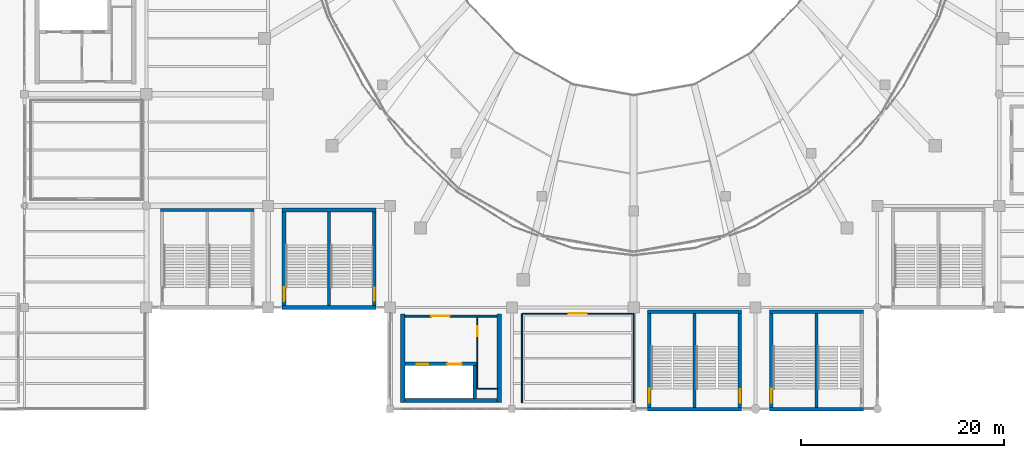
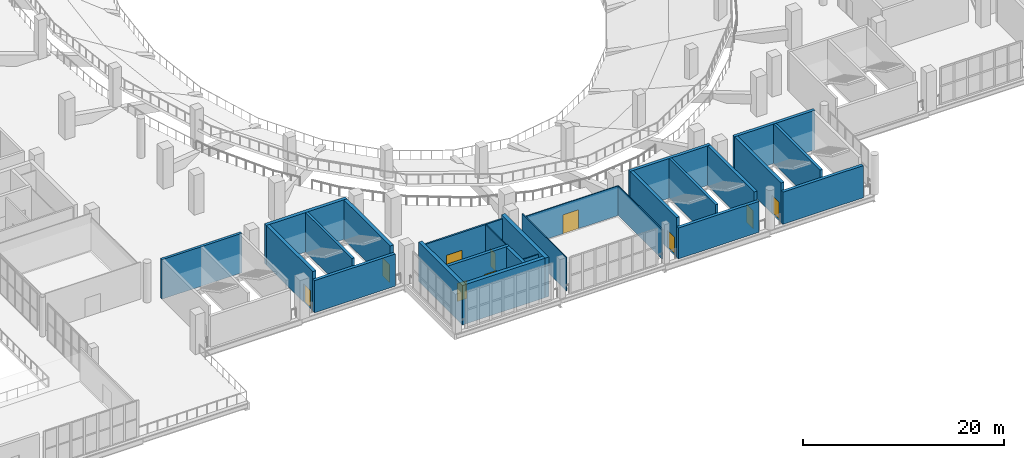
# One storey, part 109 of 136: 26 walls, 10 doors, 10 openings.
"""IFC4 building model written with IfcOpenShell, lengths in metres."""

from ifc_helpers import new_model, si_unit, direction, frame, frame_2d, origin, place, context, subcontext, project, spatial, rectangle, extrude, material, layer, layer_set, type_object, element, fill, save


model = new_model("IFC4")

# Units and contexts
model_context = context("Model", 3, precision=1e-05, world=origin(), true_north=direction((0.0, 1.0)))
body_context = subcontext(model_context, "Body", "Model", "MODEL_VIEW")
ifc_project = project(units=[si_unit("LENGTHUNIT", "METRE"), si_unit("AREAUNIT", "SQUARE_METRE"), si_unit("VOLUMEUNIT", "CUBIC_METRE"), si_unit("PLANEANGLEUNIT", "RADIAN"), si_unit("MASSUNIT", "GRAM", prefix="KILO")], contexts=[model_context])

# Site, building, storey
site_placement = place(None, origin())
site = spatial("IfcSite", under=ifc_project, at=site_placement, CompositionType="ELEMENT")
building_placement = place(site_placement, origin())
building = spatial("IfcBuilding", under=site, at=building_placement, Name="Brinegate Civic Arena", CompositionType="ELEMENT")
storey_placement = place(building_placement, frame((0.0, 0.0, 5.39990234375)))
storey = spatial("IfcBuildingStorey", under=building, at=storey_placement, Name="L01", CompositionType="ELEMENT", Elevation=5.39990234375)

# Wall
ifc_material_1 = material(Name="Concrete C50/60", Category="concrete")
ifc_layer_1 = layer(ifc_material_1, 0.35009765625, Name="Concrete C50/60")
ifc_layer_set_1 = layer_set([ifc_layer_1], Name="Concrete C50/60")
wall_type_1 = type_object("IfcWallType", Name="WALL-CORE-SHEAR-350", PredefinedType="SHEAR", material=ifc_layer_set_1)
wall_1_placement = place(storey_placement, frame((121.375, 9.60009765625, 0.0), z_axis=(0.0, 0.0, 1.0), x_axis=(1.0, 0.0, 0.0)))
element("IfcWall", 1, at=wall_1_placement, inside=storey, type_object=wall_type_1, Name="Stair ST-04 North Shear Wall L01 (WBB-98)", PredefinedType="SHEAR", context=body_context, shape_type="SweptSolid", body=[
    extrude(rectangle(XDim=9.25, YDim=0.35009765625, at=frame_2d((4.625, 0.0))), origin(), (0.0, 0.0, 1.0), 4.800048828125),
])

# Wall, opening, door
wall_2_placement = place(storey_placement, frame((121.550048828125, 0.175048828125, 0.0), z_axis=(0.0, 0.0, 1.0), x_axis=(0.0, 1.0, 0.0)))
wall_2 = element("IfcWall", 2, at=wall_2_placement, inside=storey, type_object=wall_type_1, Name="Stair ST-04 West Shear Wall L01 (WBB-99)", PredefinedType="SHEAR", context=body_context, shape_type="SweptSolid", body=[
    extrude(rectangle(XDim=9.25, YDim=0.35009765625, at=frame_2d((4.625, 0.0))), origin(), (0.0, 0.0, 1.0), 4.800048828125),
])
opening_1_placement = place(wall_2_placement, frame((0.425048828125, 0.0, 0.0)))
opening_1 = element("IfcOpeningElement", 3, at=opening_1_placement, cuts=wall_2, Name="Opening D-ST04A-L01", PredefinedType="OPENING", context=body_context, shape_type="SweptSolid", body=[
    extrude(rectangle(XDim=1.39990234375, YDim=2.199951171875, at=frame_2d((0.699951171875, 1.10009765625))), frame((0.0, 0.18505859375, 0.0), z_axis=(0.0, -1.0, 0.0), x_axis=(1.0, 0.0, 0.0)), (0.0, 0.0, 1.0), 0.3701171875),
])
ifc_material_2 = material(Name="Galvanized hurricane steel", Category="steel")
door_type_1 = type_object("IfcDoorType", Name="DOOR-STAIR-2400X2200", OperationType="NOTDEFINED", PredefinedType="DOOR", material=ifc_material_2)
door_1_placement = place(opening_1_placement, frame((1.39990234375, 0.0, 0.0), z_axis=(0.0, 0.0, 1.0), x_axis=(-1.0, 0.0, 0.0)))
door_1 = element("IfcDoor", 4, at=door_1_placement, inside=storey, type_object=door_type_1, Name="Protected Exit Stair Door D-ST04A-L01", OperationType="DOUBLE_DOOR_SINGLE_SWING", OverallHeight=2.199951171875, OverallWidth=1.39990234375, PredefinedType="DOOR", context=body_context, shape_type="SweptSolid", body=[
    extrude(rectangle(XDim=1.39990234375, YDim=2.199951171875, at=frame_2d((0.699951171875, 1.10009765625))), frame((0.0, 0.02490234375, 0.0), z_axis=(0.0, -1.0, 0.0), x_axis=(1.0, 0.0, 0.0)), (0.0, 0.0, 1.0), 0.050048828125),
])
fill(opening_1, door_1)

# Wall
wall_3_placement = place(storey_placement, frame((109.375, 9.60009765625, 0.0), z_axis=(0.0, 0.0, 1.0), x_axis=(1.0, 0.0, 0.0)))
element("IfcWall", 5, at=wall_3_placement, inside=storey, type_object=wall_type_1, Name="Stair ST-16 North Shear Wall L01 (WBF-17)", PredefinedType="SHEAR", context=body_context, shape_type="SweptSolid", body=[
    extrude(rectangle(XDim=9.25, YDim=0.35009765625, at=frame_2d((4.625, 0.0))), origin(), (0.0, 0.0, 1.0), 4.800048828125),
])

# Wall, opening, door
wall_4_placement = place(storey_placement, frame((109.550048828125, 0.175048828125, 0.0), z_axis=(0.0, 0.0, 1.0), x_axis=(0.0, 1.0, 0.0)))
wall_4 = element("IfcWall", 6, at=wall_4_placement, inside=storey, type_object=wall_type_1, Name="Stair ST-16 West Shear Wall L01 (WBF-18)", PredefinedType="SHEAR", context=body_context, shape_type="SweptSolid", body=[
    extrude(rectangle(XDim=9.25, YDim=0.35009765625, at=frame_2d((4.625, 0.0))), origin(), (0.0, 0.0, 1.0), 4.800048828125),
])
opening_2_placement = place(wall_4_placement, frame((0.425048828125, 0.0, 0.0)))
opening_2 = element("IfcOpeningElement", 7, at=opening_2_placement, cuts=wall_4, Name="Opening D-ST16A-L01", PredefinedType="OPENING", context=body_context, shape_type="SweptSolid", body=[
    extrude(rectangle(XDim=1.39990234375, YDim=2.199951171875, at=frame_2d((0.699951171875, 1.10009765625))), frame((0.0, 0.18505859375, 0.0), z_axis=(0.0, -1.0, 0.0), x_axis=(1.0, 0.0, 0.0)), (0.0, 0.0, 1.0), 0.3701171875),
])
door_2_placement = place(opening_2_placement, frame((1.39990234375, 0.0, 0.0), z_axis=(0.0, 0.0, 1.0), x_axis=(-1.0, 0.0, 0.0)))
door_2 = element("IfcDoor", 8, at=door_2_placement, inside=storey, type_object=door_type_1, Name="Protected Exit Stair Door D-ST16A-L01", OperationType="DOUBLE_DOOR_SINGLE_SWING", OverallHeight=2.199951171875, OverallWidth=1.39990234375, PredefinedType="DOOR", context=body_context, shape_type="SweptSolid", body=[
    extrude(rectangle(XDim=1.39990234375, YDim=2.199951171875, at=frame_2d((0.699951171875, 1.10009765625))), frame((0.0, 0.02490234375, 0.0), z_axis=(0.0, -1.0, 0.0), x_axis=(1.0, 0.0, 0.0)), (0.0, 0.0, 1.0), 0.050048828125),
])
fill(opening_2, door_2)

wall_5_placement = place(storey_placement, frame((118.449951171875, 0.175048828125, 0.0), z_axis=(0.0, 0.0, 1.0), x_axis=(0.0, 1.0, 0.0)))
wall_5 = element("IfcWall", 9, at=wall_5_placement, inside=storey, type_object=wall_type_1, Name="Stair ST-16 East Shear Wall L01 (WBF-19)", PredefinedType="SHEAR", context=body_context, shape_type="SweptSolid", body=[
    extrude(rectangle(XDim=9.25, YDim=0.35009765625, at=frame_2d((4.625, 0.0))), origin(), (0.0, 0.0, 1.0), 4.800048828125),
])
opening_3_placement = place(wall_5_placement, frame((0.465087890625, 0.0, 0.0)))
opening_3 = element("IfcOpeningElement", 10, at=opening_3_placement, cuts=wall_5, Name="Opening D-ST16B-L01", PredefinedType="OPENING", context=body_context, shape_type="SweptSolid", body=[
    extrude(rectangle(XDim=1.320068359375, YDim=2.199951171875, at=frame_2d((0.66015625, 1.10009765625))), frame((0.0, 0.18505859375, 0.0), z_axis=(0.0, -1.0, 0.0), x_axis=(1.0, 0.0, 0.0)), (0.0, 0.0, 1.0), 0.3701171875),
])
door_type_2 = type_object("IfcDoorType", Name="DOOR-STAIR-2200X2200", OperationType="NOTDEFINED", PredefinedType="DOOR", material=ifc_material_2)
door_3_placement = place(opening_3_placement, origin())
door_3 = element("IfcDoor", 11, at=door_3_placement, inside=storey, type_object=door_type_2, Name="Protected Exit Stair Door D-ST16B-L01", OperationType="DOUBLE_DOOR_SINGLE_SWING", OverallHeight=2.199951171875, OverallWidth=1.320068359375, PredefinedType="DOOR", context=body_context, shape_type="SweptSolid", body=[
    extrude(rectangle(XDim=1.320068359375, YDim=2.199951171875, at=frame_2d((0.66015625, 1.10009765625))), frame((0.0, 0.02490234375, 0.0), z_axis=(0.0, -1.0, 0.0), x_axis=(1.0, 0.0, 0.0)), (0.0, 0.0, 1.0), 0.050048828125),
])
fill(opening_3, door_3)

# Wall, openings, doors
wall_6_placement = place(storey_placement, frame((85.4599609375, 4.449951171875, 0.0), z_axis=(0.0, 0.0, 1.0), x_axis=(1.0, 0.0, 0.0)))
wall_6 = element("IfcWall", 12, at=wall_6_placement, inside=storey, type_object=wall_type_1, Name="Core K4 Lift Shaft Front Wall L01 (WBH-11)", PredefinedType="SHEAR", context=body_context, shape_type="SweptSolid", body=[
    extrude(rectangle(XDim=7.06494140625, YDim=0.35009765625, at=frame_2d((3.532470703125, 0.0))), origin(), (0.0, 0.0, 1.0), 4.800048828125),
])
opening_4_placement = place(wall_6_placement, frame((1.18994140625, 0.0, 0.0)))
opening_4 = element("IfcOpeningElement", 13, at=opening_4_placement, cuts=wall_6, Name="Opening LD-PL6-L01", PredefinedType="OPENING", context=body_context, shape_type="SweptSolid", body=[
    extrude(rectangle(XDim=1.10009765625, YDim=2.199951171875, at=frame_2d((0.550048828125, 1.10009765625))), frame((0.0, 0.18505859375, 0.0), z_axis=(0.0, -1.0, 0.0), x_axis=(1.0, 0.0, 0.0)), (0.0, 0.0, 1.0), 0.3701171875),
])
opening_5_placement = place(wall_6_placement, frame((4.18994140625, 0.0, 0.0)))
opening_5 = element("IfcOpeningElement", 14, at=opening_5_placement, cuts=wall_6, Name="Opening LD-GL1-L01", PredefinedType="OPENING", context=body_context, shape_type="SweptSolid", body=[
    extrude(rectangle(XDim=1.39990234375, YDim=2.300048828125, at=frame_2d((0.699951171875, 1.14990234375))), frame((0.0, 0.18505859375, 0.0), z_axis=(0.0, -1.0, 0.0), x_axis=(1.0, 0.0, 0.0)), (0.0, 0.0, 1.0), 0.3701171875),
])
ifc_material_3 = material(Name="Architectural stainless steel balustrade", Category="steel")
door_type_3 = type_object("IfcDoorType", Name="DOOR-LIFT-1100X2200", OperationType="SLIDING_TO_LEFT", PredefinedType="DOOR", material=ifc_material_3)
door_4_placement = place(opening_4_placement, origin())
door_4 = element("IfcDoor", 15, at=door_4_placement, inside=storey, type_object=door_type_3, Name="Sliding Lift Landing Door LD-PL6-L01", OperationType="SLIDING_TO_LEFT", OverallHeight=2.199951171875, OverallWidth=1.10009765625, PredefinedType="DOOR", context=body_context, shape_type="SweptSolid", body=[
    extrude(rectangle(XDim=1.10009765625, YDim=2.199951171875, at=frame_2d((0.550048828125, 1.10009765625))), frame((0.0, 0.02490234375, 0.0), z_axis=(0.0, -1.0, 0.0), x_axis=(1.0, 0.0, 0.0)), (0.0, 0.0, 1.0), 0.050048828125),
])
fill(opening_4, door_4)
door_type_4 = type_object("IfcDoorType", Name="DOOR-LIFT-1400X2300", OperationType="SLIDING_TO_LEFT", PredefinedType="DOOR", material=ifc_material_3)
door_5_placement = place(opening_5_placement, origin())
door_5 = element("IfcDoor", 16, at=door_5_placement, inside=storey, type_object=door_type_4, Name="Sliding Lift Landing Door LD-GL1-L01", OperationType="SLIDING_TO_LEFT", OverallHeight=2.300048828125, OverallWidth=1.39990234375, PredefinedType="DOOR", context=body_context, shape_type="SweptSolid", body=[
    extrude(rectangle(XDim=1.39990234375, YDim=2.300048828125, at=frame_2d((0.699951171875, 1.14990234375))), frame((0.0, 0.02490234375, 0.0), z_axis=(0.0, -1.0, 0.0), x_axis=(1.0, 0.0, 0.0)), (0.0, 0.0, 1.0), 0.050048828125),
])
fill(opening_5, door_5)

# Walls
wall_7_placement = place(storey_placement, frame((92.35009765625, 1.06005859375, 0.0), z_axis=(0.0, 0.0, 1.0), x_axis=(0.0, 1.0, 0.0)))
element("IfcWall", 17, at=wall_7_placement, inside=storey, type_object=wall_type_1, Name="Core K4 Lift Shaft End Wall L01 (WBH-12)", PredefinedType="SHEAR", context=body_context, shape_type="SweptSolid", body=[
    extrude(rectangle(XDim=3.21484375, YDim=0.35009765625, at=frame_2d((1.607421875, 0.0))), origin(), (0.0, 0.0, 1.0), 4.800048828125),
])
ifc_layer_2 = layer(ifc_material_1, 0.389892578125, Name="Concrete C50/60")
ifc_layer_set_2 = layer_set([ifc_layer_2], Name="Concrete C50/60")
wall_type_2 = type_object("IfcWallType", Name="WALL-CORE-SHEAR-390", PredefinedType="SHEAR", material=ifc_layer_set_2)
wall_8_placement = place(storey_placement, frame((73.35498046875, 19.60009765625, 0.0), z_axis=(0.0, 0.0, 1.0), x_axis=(1.0, 0.0, 0.0)))
element("IfcWall", 18, at=wall_8_placement, inside=storey, type_object=wall_type_2, Name="Stair ST-12 North Shear Wall L01 (WBE-11)", PredefinedType="SHEAR", context=body_context, shape_type="SweptSolid", body=[
    extrude(rectangle(XDim=9.2900390625, YDim=0.389892578125, at=frame_2d((4.64501953125, 0.0))), origin(), (0.0, 0.0, 1.0), 4.800048828125),
])

# Wall, opening, door
wall_9_placement = place(storey_placement, frame((73.550048828125, 10.175048828125, 0.0), z_axis=(0.0, 0.0, 1.0), x_axis=(0.0, 1.0, 0.0)))
wall_9 = element("IfcWall", 19, at=wall_9_placement, inside=storey, type_object=wall_type_2, Name="Stair ST-12 West Shear Wall L01 (WBE-12)", PredefinedType="SHEAR", context=body_context, shape_type="SweptSolid", body=[
    extrude(rectangle(XDim=9.22998046875, YDim=0.389892578125, at=frame_2d((4.614990234375, 0.0))), origin(), (0.0, 0.0, 1.0), 4.800048828125),
])
opening_6_placement = place(wall_9_placement, frame((0.425048828125, 0.0, 0.0)))
opening_6 = element("IfcOpeningElement", 20, at=opening_6_placement, cuts=wall_9, Name="Opening D-ST12A-L01", PredefinedType="OPENING", context=body_context, shape_type="SweptSolid", body=[
    extrude(rectangle(XDim=1.39990234375, YDim=2.199951171875, at=frame_2d((0.699951171875, 1.10009765625))), frame((0.0, 0.204833984375, 0.0), z_axis=(0.0, -1.0, 0.0), x_axis=(1.0, 0.0, 0.0)), (0.0, 0.0, 1.0), 0.409912109375),
])
door_6_placement = place(opening_6_placement, frame((1.39990234375, 0.0, 0.0), z_axis=(0.0, 0.0, 1.0), x_axis=(-1.0, 0.0, 0.0)))
door_6 = element("IfcDoor", 21, at=door_6_placement, inside=storey, type_object=door_type_1, Name="Protected Exit Stair Door D-ST12A-L01", OperationType="DOUBLE_DOOR_SINGLE_SWING", OverallHeight=2.199951171875, OverallWidth=1.39990234375, PredefinedType="DOOR", context=body_context, shape_type="SweptSolid", body=[
    extrude(rectangle(XDim=1.39990234375, YDim=2.199951171875, at=frame_2d((0.699951171875, 1.10009765625))), frame((0.0, 0.02490234375, 0.0), z_axis=(0.0, -1.0, 0.0), x_axis=(1.0, 0.0, 0.0)), (0.0, 0.0, 1.0), 0.050048828125),
])
fill(opening_6, door_6)

wall_10_placement = place(storey_placement, frame((82.449951171875, 10.175048828125, 0.0), z_axis=(0.0, 0.0, 1.0), x_axis=(0.0, 1.0, 0.0)))
wall_10 = element("IfcWall", 22, at=wall_10_placement, inside=storey, type_object=wall_type_2, Name="Stair ST-12 East Shear Wall L01 (WBE-13)", PredefinedType="SHEAR", context=body_context, shape_type="SweptSolid", body=[
    extrude(rectangle(XDim=9.22998046875, YDim=0.389892578125, at=frame_2d((4.614990234375, 0.0))), origin(), (0.0, 0.0, 1.0), 4.800048828125),
])
opening_7_placement = place(wall_10_placement, frame((0.465087890625, 0.0, 0.0)))
opening_7 = element("IfcOpeningElement", 23, at=opening_7_placement, cuts=wall_10, Name="Opening D-ST12B-L01", PredefinedType="OPENING", context=body_context, shape_type="SweptSolid", body=[
    extrude(rectangle(XDim=1.320068359375, YDim=2.199951171875, at=frame_2d((0.66015625, 1.10009765625))), frame((0.0, 0.204833984375, 0.0), z_axis=(0.0, -1.0, 0.0), x_axis=(1.0, 0.0, 0.0)), (0.0, 0.0, 1.0), 0.409912109375),
])
door_7_placement = place(opening_7_placement, origin())
door_7 = element("IfcDoor", 24, at=door_7_placement, inside=storey, type_object=door_type_2, Name="Protected Exit Stair Door D-ST12B-L01", OperationType="DOUBLE_DOOR_SINGLE_SWING", OverallHeight=2.199951171875, OverallWidth=1.320068359375, PredefinedType="DOOR", context=body_context, shape_type="SweptSolid", body=[
    extrude(rectangle(XDim=1.320068359375, YDim=2.199951171875, at=frame_2d((0.66015625, 1.10009765625))), frame((0.0, 0.02490234375, 0.0), z_axis=(0.0, -1.0, 0.0), x_axis=(1.0, 0.0, 0.0)), (0.0, 0.0, 1.0), 0.050048828125),
])
fill(opening_7, door_7)

# Walls
ifc_layer_3 = layer(ifc_material_1, 0.419921875, Name="Concrete C50/60")
ifc_layer_set_3 = layer_set([ifc_layer_3], Name="Concrete C50/60")
wall_type_3 = type_object("IfcWallType", Name="WALL-CORE-SHEAR-420", PredefinedType="SHEAR", material=ifc_layer_set_3)
for number, where, z_axis, x_axis, name in (
    (25, (85.25, 0.639892578125, 0.0), (0.0, 0.0, 1.0), (0.0, 1.0, 0.0), "Core K4 West Shear Wall L01 (WBH-08)"),
    (26, (94.75, 0.639892578125, 0.0), (0.0, 0.0, 1.0), (0.0, 1.0, 0.0), "Core K4 East Shear Wall L01 (WBH-09)"),
):
    element("IfcWall", number, at=place(storey_placement, frame(where, z_axis=z_axis, x_axis=x_axis)), inside=storey, type_object=wall_type_3, Name=name, PredefinedType="SHEAR", context=body_context, shape_type="SweptSolid", body=[
        extrude(rectangle(XDim=8.72021484375, YDim=0.419921875, at=frame_2d((4.360107421875, 0.0))), origin(), (0.0, 0.0, 1.0), 4.800048828125),
    ])
wall_11_placement = place(storey_placement, frame((85.4599609375, 0.85009765625, 0.0), z_axis=(0.0, 0.0, 1.0), x_axis=(1.0, 0.0, 0.0)))
element("IfcWall", 27, at=wall_11_placement, inside=storey, type_object=wall_type_3, Name="Core K4 South Shear Wall L01 (WBH-10)", PredefinedType="SHEAR", context=body_context, shape_type="SweptSolid", body=[
    extrude(rectangle(XDim=9.080078125, YDim=0.419921875, at=frame_2d((4.5400390625, 0.0))), origin(), (0.0, 0.0, 1.0), 4.800048828125),
])
ifc_layer_4 = layer(ifc_material_1, 0.35009765625, Name="Concrete C50/60")
ifc_layer_set_4 = layer_set([ifc_layer_4], Name="Concrete C50/60")
wall_type_4 = type_object("IfcWallType", Name="WALL-EXT-STAIR-SHEAR-350", PredefinedType="SHEAR", material=ifc_layer_set_4)
wall_12_placement = place(storey_placement, frame((121.375, 0.0, 0.0), z_axis=(0.0, 0.0, 1.0), x_axis=(1.0, 0.0, 0.0)))
element("IfcWall", 28, at=wall_12_placement, inside=storey, type_object=wall_type_4, Name="Stair ST-04 South Shear Wall L01 (WBB-97)", PredefinedType="SHEAR", context=body_context, shape_type="SweptSolid", body=[
    extrude(rectangle(XDim=9.25, YDim=0.35009765625, at=frame_2d((4.625, 0.0))), origin(), (0.0, 0.0, 1.0), 3.906005859375),
])
wall_13_placement = place(storey_placement, frame((73.35498046875, 10.0, 0.0), z_axis=(0.0, 0.0, 1.0), x_axis=(1.0, 0.0, 0.0)))
element("IfcWall", 29, at=wall_13_placement, inside=storey, type_object=wall_type_4, Name="Stair ST-12 South Shear Wall L01 (WBE-10)", PredefinedType="SHEAR", context=body_context, shape_type="SweptSolid", body=[
    extrude(rectangle(XDim=9.2900390625, YDim=0.35009765625, at=frame_2d((4.64501953125, 0.0))), origin(), (0.0, 0.0, 1.0), 3.906005859375),
])
wall_14_placement = place(storey_placement, frame((109.375, 0.0, 0.0), z_axis=(0.0, 0.0, 1.0), x_axis=(1.0, 0.0, 0.0)))
element("IfcWall", 30, at=wall_14_placement, inside=storey, type_object=wall_type_4, Name="Stair ST-16 South Shear Wall L01 (WBF-16)", PredefinedType="SHEAR", context=body_context, shape_type="SweptSolid", body=[
    extrude(rectangle(XDim=9.25, YDim=0.35009765625, at=frame_2d((4.625, 0.0))), origin(), (0.0, 0.0, 1.0), 3.757080078125),
])

# Wall, opening, door
ifc_material_4 = material(Name="Concrete blockwork masonry", Category="masonry")
ifc_layer_5 = layer(ifc_material_4, 0.18994140625, Name="Concrete blockwork masonry")
ifc_layer_set_5 = layer_set([ifc_layer_5], Name="Concrete blockwork masonry")
wall_type_5 = type_object("IfcWallType", Name="WALL-PART-RATED-190", PredefinedType="PARTITIONING", material=ifc_layer_set_5)
wall_15_placement = place(storey_placement, frame((85.469970703125, 9.14990234375, 0.0), z_axis=(0.0, 0.0, 1.0), x_axis=(1.0, 0.0, 0.0)))
wall_15 = element("IfcWall", 31, at=wall_15_placement, inside=storey, type_object=wall_type_5, Name="Core K4 Concourse Lobby Wall L01 (WBH-13)", PredefinedType="PARTITIONING", context=body_context, shape_type="SweptSolid", body=[
    extrude(rectangle(XDim=9.06005859375, YDim=0.18994140625, at=frame_2d((4.530029296875, 0.0))), origin(), (0.0, 0.0, 1.0), 4.47021484375),
])
opening_8_placement = place(wall_15_placement, frame((2.60009765625, 0.0, 0.0)))
opening_8 = element("IfcOpeningElement", 32, at=opening_8_placement, cuts=wall_15, Name="Opening D-K4L-L01", PredefinedType="OPENING", context=body_context, shape_type="SweptSolid", body=[
    extrude(rectangle(XDim=1.800048828125, YDim=2.300048828125, at=frame_2d((0.89990234375, 1.14990234375))), frame((0.0, 0.10498046875, 0.0), z_axis=(0.0, -1.0, 0.0), x_axis=(1.0, 0.0, 0.0)), (0.0, 0.0, 1.0), 0.2099609375),
])
ifc_material_5 = material(Name="Marine grade aluminium", Category="aluminium")
door_type_5 = type_object("IfcDoorType", Name="DOOR-CONC-1800X2300", OperationType="NOTDEFINED", PredefinedType="DOOR", material=ifc_material_5)
door_8_placement = place(opening_8_placement, origin())
door_8 = element("IfcDoor", 33, at=door_8_placement, inside=storey, type_object=door_type_5, Name="Lift Lobby Door D-K4L-L01", OperationType="DOUBLE_DOOR_SINGLE_SWING", OverallHeight=2.300048828125, OverallWidth=1.800048828125, PredefinedType="DOOR", context=body_context, shape_type="SweptSolid", body=[
    extrude(rectangle(XDim=1.800048828125, YDim=2.300048828125, at=frame_2d((0.89990234375, 1.14990234375))), frame((0.0, 0.02490234375, 0.0), z_axis=(0.0, -1.0, 0.0), x_axis=(1.0, 0.0, 0.0)), (0.0, 0.0, 1.0), 0.050048828125),
])
fill(opening_8, door_8)

ifc_layer_6 = layer(ifc_material_4, 0.10009765625, Name="Concrete blockwork masonry")
ifc_layer_set_6 = layer_set([ifc_layer_6], Name="Concrete blockwork masonry")
wall_type_6 = type_object("IfcWallType", Name="WALL-PART-WET-100", PredefinedType="PARTITIONING", material=ifc_layer_set_6)
wall_16_placement = place(storey_placement, frame((92.60009765625, 2.0, 0.0), z_axis=(0.0, 0.0, 1.0), x_axis=(0.0, 1.0, 0.0)))
wall_16 = element("IfcWall", 34, at=wall_16_placement, inside=storey, type_object=wall_type_6, Name="Accessible WC K4 Partition L01 (WBH-14)", PredefinedType="PARTITIONING", context=body_context, shape_type="SweptSolid", body=[
    extrude(rectangle(XDim=7.050048828125, YDim=0.10009765625, at=frame_2d((3.52490234375, 0.0))), origin(), (0.0, 0.0, 1.0), 4.47021484375),
])
opening_9_placement = place(wall_16_placement, frame((5.14990234375, 0.0, 0.0)))
opening_9 = element("IfcOpeningElement", 35, at=opening_9_placement, cuts=wall_16, Name="Opening D-K4W-L01", PredefinedType="OPENING", context=body_context, shape_type="SweptSolid", body=[
    extrude(rectangle(XDim=1.0, YDim=2.10009765625, at=frame_2d((0.5, 1.050048828125))), frame((0.0, 0.06005859375, 0.0), z_axis=(0.0, -1.0, 0.0), x_axis=(1.0, 0.0, 0.0)), (0.0, 0.0, 1.0), 0.1201171875),
])
ifc_material_6 = material(Name="Hardwood acoustic timber door", Category="wood")
door_type_6 = type_object("IfcDoorType", Name="DOOR-AWC-1000X2100", OperationType="NOTDEFINED", PredefinedType="DOOR", material=ifc_material_6)
door_9_placement = place(opening_9_placement, origin())
door_9 = element("IfcDoor", 36, at=door_9_placement, inside=storey, type_object=door_type_6, Name="Accessible WC Door D-K4W-L01", OperationType="SINGLE_SWING_RIGHT", OverallHeight=2.10009765625, OverallWidth=1.0, PredefinedType="DOOR", context=body_context, shape_type="SweptSolid", body=[
    extrude(rectangle(XDim=1.0, YDim=2.10009765625, at=frame_2d((0.5, 1.050048828125))), frame((0.0, 0.02490234375, 0.0), z_axis=(0.0, -1.0, 0.0), x_axis=(1.0, 0.0, 0.0)), (0.0, 0.0, 1.0), 0.050048828125),
])
fill(opening_9, door_9)

# Walls
wall_17_placement = place(storey_placement, frame((92.60009765625, 2.0, 0.0), z_axis=(0.0, 0.0, 1.0), x_axis=(1.0, 0.0, 0.0)))
element("IfcWall", 37, at=wall_17_placement, inside=storey, type_object=wall_type_6, Name="Accessible WC K4 Back Partition L01 (WBH-15)", PredefinedType="PARTITIONING", context=body_context, shape_type="SweptSolid", body=[
    extrude(rectangle(XDim=2.0, YDim=0.10009765625, at=frame_2d((1.0, 0.0))), origin(), (0.0, 0.0, 1.0), 4.47021484375),
])
wall_18_placement = place(storey_placement, frame((108.0, 9.39990234375, 0.0), z_axis=(0.0, 0.0, 1.0), x_axis=(0.0, -1.0, 0.0)))
element("IfcWall", 38, at=wall_18_placement, inside=storey, type_object=wall_type_6, Name="South-West Concourse Beverage Bar Partition Wall E1 (WBI-99)", PredefinedType="PARTITIONING", context=body_context, shape_type="SweptSolid", body=[
    extrude(rectangle(XDim=8.7998046875, YDim=0.10009765625, at=frame_2d((4.39990234375, 0.0))), origin(), (0.0, 0.0, 1.0), 3.59912109375),
])
wall_19_placement = place(storey_placement, frame((97.0, 0.60009765625, 0.0), z_axis=(0.0, 0.0, 1.0), x_axis=(0.0, 1.0, 0.0)))
element("IfcWall", 39, at=wall_19_placement, inside=storey, type_object=wall_type_6, Name="South-West Concourse Beverage Bar Partition Wall E3 (WBJ-01)", PredefinedType="PARTITIONING", context=body_context, shape_type="SweptSolid", body=[
    extrude(rectangle(XDim=8.7998046875, YDim=0.10009765625, at=frame_2d((4.39990234375, 0.0))), origin(), (0.0, 0.0, 1.0), 4.0400390625),
])

# Wall, opening, door
wall_20_placement = place(storey_placement, frame((97.0, 9.39990234375, 0.0), z_axis=(0.0, 0.0, 1.0), x_axis=(1.0, 0.0, 0.0)))
wall_20 = element("IfcWall", 40, at=wall_20_placement, inside=storey, type_object=wall_type_6, Name="South-West Concourse Beverage Bar Partition Wall E4 (WBJ-02)", PredefinedType="PARTITIONING", context=body_context, shape_type="SweptSolid", body=[
    extrude(rectangle(XDim=11.0, YDim=0.10009765625, at=frame_2d((5.5, 0.0))), origin(), (0.0, 0.0, 1.0), 3.59912109375),
])
opening_10_placement = place(wall_20_placement, frame((4.60009765625, 0.0, 0.0)))
opening_10 = element("IfcOpeningElement", 41, at=opening_10_placement, cuts=wall_20, Name="Opening D-L01-175", PredefinedType="OPENING", context=body_context, shape_type="SweptSolid", body=[
    extrude(rectangle(XDim=1.800048828125, YDim=2.300048828125, at=frame_2d((0.89990234375, 1.14990234375))), frame((0.0, 0.06005859375, 0.0), z_axis=(0.0, -1.0, 0.0), x_axis=(1.0, 0.0, 0.0)), (0.0, 0.0, 1.0), 0.1201171875),
])
door_10_placement = place(opening_10_placement, origin())
door_10 = element("IfcDoor", 42, at=door_10_placement, inside=storey, type_object=door_type_5, Name="South-West Concourse Beverage Bar Door D-L01-175", OperationType="DOUBLE_DOOR_SINGLE_SWING", OverallHeight=2.300048828125, OverallWidth=1.800048828125, PredefinedType="DOOR", context=body_context, shape_type="SweptSolid", body=[
    extrude(rectangle(XDim=1.800048828125, YDim=2.300048828125, at=frame_2d((0.89990234375, 1.14990234375))), frame((0.0, 0.02490234375, 0.0), z_axis=(0.0, -1.0, 0.0), x_axis=(1.0, 0.0, 0.0)), (0.0, 0.0, 1.0), 0.050048828125),
])
fill(opening_10, door_10)

# Walls
ifc_layer_7 = layer(ifc_material_1, 0.2900390625, Name="Concrete C50/60")
ifc_layer_set_7 = layer_set([ifc_layer_7], Name="Concrete C50/60")
wall_type_7 = type_object("IfcWallType", Name="WALL-STAIR-SHEAR-290", PredefinedType="SHEAR", material=ifc_layer_set_7)
wall_21_placement = place(storey_placement, frame((61.405029296875, 19.60009765625, 0.0), z_axis=(0.0, 0.0, 1.0), x_axis=(1.0, 0.0, 0.0)))
element("IfcWall", 43, at=wall_21_placement, inside=storey, type_object=wall_type_7, Name="Stair ST-02 North Shear Wall L01 (WBB-38)", PredefinedType="SHEAR", context=body_context, shape_type="SweptSolid", body=[
    extrude(rectangle(XDim=9.18994140625, YDim=0.2900390625, at=frame_2d((4.594970703125, 0.0))), origin(), (0.0, 0.0, 1.0), 4.800048828125),
])
wall_22_placement = place(storey_placement, frame((126.0, 0.175048828125, 0.0), z_axis=(0.0, 0.0, 1.0), x_axis=(0.0, 1.0, 0.0)))
element("IfcWall", 44, at=wall_22_placement, inside=storey, type_object=wall_type_7, Name="Stair ST-04 Central Dividing Shear Wall L01 (WBC-02)", PredefinedType="SHEAR", context=body_context, shape_type="SweptSolid", body=[
    extrude(rectangle(XDim=9.25, YDim=0.2900390625, at=frame_2d((4.625, 0.0))), origin(), (0.0, 0.0, 1.0), 4.800048828125),
])
wall_23_placement = place(storey_placement, frame((78.0, 10.175048828125, 0.0), z_axis=(0.0, 0.0, 1.0), x_axis=(0.0, 1.0, 0.0)))
element("IfcWall", 45, at=wall_23_placement, inside=storey, type_object=wall_type_7, Name="Stair ST-12 Central Dividing Shear Wall L01 (WBE-14)", PredefinedType="SHEAR", context=body_context, shape_type="SweptSolid", body=[
    extrude(rectangle(XDim=9.22998046875, YDim=0.2900390625, at=frame_2d((4.614990234375, 0.0))), origin(), (0.0, 0.0, 1.0), 4.800048828125),
])
wall_24_placement = place(storey_placement, frame((114.0, 0.175048828125, 0.0), z_axis=(0.0, 0.0, 1.0), x_axis=(0.0, 1.0, 0.0)))
element("IfcWall", 46, at=wall_24_placement, inside=storey, type_object=wall_type_7, Name="Stair ST-16 Central Dividing Shear Wall L01 (WBF-20)", PredefinedType="SHEAR", context=body_context, shape_type="SweptSolid", body=[
    extrude(rectangle(XDim=9.25, YDim=0.2900390625, at=frame_2d((4.625, 0.0))), origin(), (0.0, 0.0, 1.0), 4.800048828125),
])

save(model, "model.ifc")
